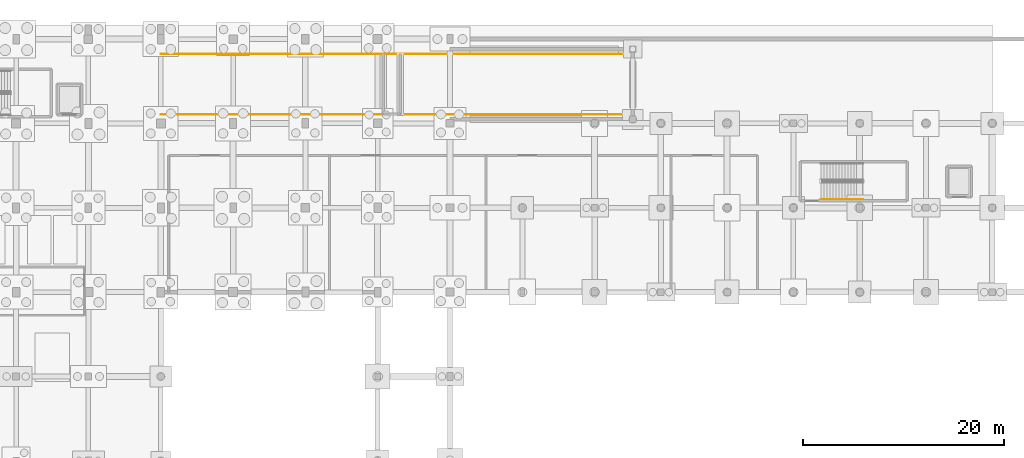
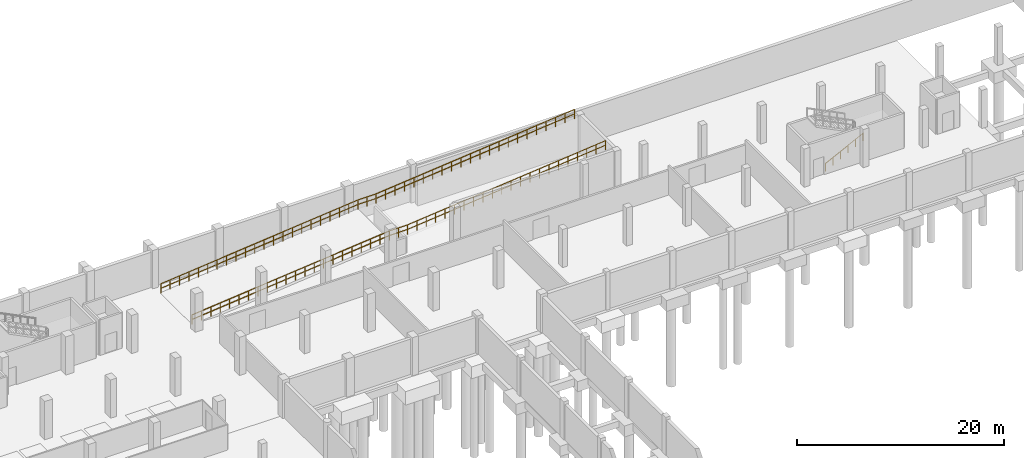
# One storey, part 33 of 35: 3 railings.
"""IFC4 building model written with IfcOpenShell, lengths in metres."""

from ifc_helpers import new_model, si_unit, direction, frame, origin, origin_2d, place, context, subcontext, project, spatial, circle, extrude, material, type_object, element, save


model = new_model("IFC4")

# Units and contexts
model_context = context("Model", 3, precision=1e-05, world=origin(), true_north=direction((0.0, 1.0)))
body_context = subcontext(model_context, "Body", "Model", "MODEL_VIEW")
ifc_project = project(units=[si_unit("LENGTHUNIT", "METRE"), si_unit("AREAUNIT", "SQUARE_METRE"), si_unit("VOLUMEUNIT", "CUBIC_METRE"), si_unit("PLANEANGLEUNIT", "RADIAN"), si_unit("MASSUNIT", "GRAM", prefix="KILO")], contexts=[model_context])

# Site, building, storey
site_placement = place(None, origin())
site = spatial("IfcSite", under=ifc_project, at=site_placement, CompositionType="ELEMENT")
building_placement = place(site_placement, origin())
building = spatial("IfcBuilding", under=site, at=building_placement, Name="Kalluvel Institute of Natural Sciences", CompositionType="ELEMENT")
storey_placement = place(building_placement, frame((0.0, 0.0, -4.5)))
storey = spatial("IfcBuildingStorey", under=building, at=storey_placement, Name="B1", CompositionType="ELEMENT", Elevation=-4.5)

# Railings
ifc_material = material(Name="Galvanized Fire-Rated Steel", Category="steel")
railing_type_1 = type_object("IfcRailingType", Name="RL-GD-ATRIUM", PredefinedType="BALUSTRADE", material=ifc_material)
railing_1_placement = place(storey_placement, frame((86.0, 120.47998046875, 0.0)))
element("IfcRailing", 1, at=railing_1_placement, inside=storey, type_object=railing_type_1, Name="B1 vehicle ramp R1 S sloped safety balustrade", PredefinedType="BALUSTRADE", context=body_context, shape_type="SweptSolid", body=[
    extrude(circle(Radius=0.02392578125, at=origin_2d()), frame((0.0, 0.0, 1.09619140625), z_axis=(0.995037408866, 0.0, 0.099501532441), x_axis=(0.0, 1.0, 0.0)), (0.0, 0.0, 1.0), 22.109619140625),
    extrude(circle(Radius=0.02392578125, at=origin_2d()), frame((0.0, 0.0, 0.56005859375), z_axis=(0.995037408866, 0.0, 0.099501532441), x_axis=(0.0, 1.0, 0.0)), (0.0, 0.0, 1.0), 22.109619140625),
    extrude(circle(Radius=0.02392578125, at=origin_2d()), frame((22.0, 0.0, 3.2958984375), z_axis=(1.0, 0.0, 0.0), x_axis=(0.0, 1.0, 0.0)), (0.0, 0.0, 1.0), 2.0),
    extrude(circle(Radius=0.02392578125, at=origin_2d()), frame((22.0, 0.0, 2.760009765625), z_axis=(1.0, 0.0, 0.0), x_axis=(0.0, 1.0, 0.0)), (0.0, 0.0, 1.0), 2.0),
    extrude(circle(Radius=0.02392578125, at=origin_2d()), frame((24.0, 0.0, 3.2958984375), z_axis=(0.995037407875, 0.0, 0.099501542344), x_axis=(0.0, 1.0, 0.0)), (0.0, 0.0, 1.0), 22.210205078125),
    extrude(circle(Radius=0.02392578125, at=origin_2d()), frame((24.0, 0.0, 2.760009765625), z_axis=(0.995037407875, 0.0, 0.099501542344), x_axis=(0.0, 1.0, 0.0)), (0.0, 0.0, 1.0), 22.210205078125),
    extrude(circle(Radius=0.02099609375, at=origin_2d()), origin(), (0.0, 0.0, 1.0), 1.072021484375),
    extrude(circle(Radius=0.02099609375, at=origin_2d()), frame((1.047607421875, 0.0, 0.104736328125)), (0.0, 0.0, 1.0), 1.072021484375),
    extrude(circle(Radius=0.02099609375, at=origin_2d()), frame((2.09521484375, 0.0, 0.20947265625)), (0.0, 0.0, 1.0), 1.072021484375),
    extrude(circle(Radius=0.02099609375, at=origin_2d()), frame((3.142822265625, 0.0, 0.314208984375)), (0.0, 0.0, 1.0), 1.072021484375),
    extrude(circle(Radius=0.02099609375, at=origin_2d()), frame((4.1904296875, 0.0, 0.4189453125)), (0.0, 0.0, 1.0), 1.072021484375),
    extrude(circle(Radius=0.02099609375, at=origin_2d()), frame((5.238037109375, 0.0, 0.523681640625)), (0.0, 0.0, 1.0), 1.072021484375),
    extrude(circle(Radius=0.02099609375, at=origin_2d()), frame((6.28564453125, 0.0, 0.628662109375)), (0.0, 0.0, 1.0), 1.072021484375),
    extrude(circle(Radius=0.02099609375, at=origin_2d()), frame((7.333251953125, 0.0, 0.7333984375)), (0.0, 0.0, 1.0), 1.072021484375),
    extrude(circle(Radius=0.02099609375, at=origin_2d()), frame((8.380859375, 0.0, 0.838134765625)), (0.0, 0.0, 1.0), 1.072021484375),
    extrude(circle(Radius=0.02099609375, at=origin_2d()), frame((9.428466796875, 0.0, 0.94287109375)), (0.0, 0.0, 1.0), 1.072021484375),
    extrude(circle(Radius=0.02099609375, at=origin_2d()), frame((10.47607421875, 0.0, 1.047607421875)), (0.0, 0.0, 1.0), 1.072021484375),
    extrude(circle(Radius=0.02099609375, at=origin_2d()), frame((11.52392578125, 0.0, 1.15234375)), (0.0, 0.0, 1.0), 1.072021484375),
    extrude(circle(Radius=0.02099609375, at=origin_2d()), frame((12.571533203125, 0.0, 1.257080078125)), (0.0, 0.0, 1.0), 1.072021484375),
    extrude(circle(Radius=0.02099609375, at=origin_2d()), frame((13.619140625, 0.0, 1.36181640625)), (0.0, 0.0, 1.0), 1.072021484375),
    extrude(circle(Radius=0.02099609375, at=origin_2d()), frame((14.666748046875, 0.0, 1.466552734375)), (0.0, 0.0, 1.0), 1.072021484375),
    extrude(circle(Radius=0.02099609375, at=origin_2d()), frame((15.71435546875, 0.0, 1.5712890625)), (0.0, 0.0, 1.0), 1.072021484375),
    extrude(circle(Radius=0.02099609375, at=origin_2d()), frame((16.761962890625, 0.0, 1.67626953125)), (0.0, 0.0, 1.0), 1.072021484375),
    extrude(circle(Radius=0.02099609375, at=origin_2d()), frame((17.8095703125, 0.0, 1.781005859375)), (0.0, 0.0, 1.0), 1.072021484375),
    extrude(circle(Radius=0.02099609375, at=origin_2d()), frame((18.857177734375, 0.0, 1.8857421875)), (0.0, 0.0, 1.0), 1.072021484375),
    extrude(circle(Radius=0.02099609375, at=origin_2d()), frame((19.90478515625, 0.0, 1.990478515625)), (0.0, 0.0, 1.0), 1.072021484375),
    extrude(circle(Radius=0.02099609375, at=origin_2d()), frame((20.952392578125, 0.0, 2.09521484375)), (0.0, 0.0, 1.0), 1.072021484375),
    extrude(circle(Radius=0.02099609375, at=origin_2d()), frame((22.0, 0.0, 2.199951171875)), (0.0, 0.0, 1.0), 1.072021484375),
    extrude(circle(Radius=0.02099609375, at=origin_2d()), frame((23.0, 0.0, 2.199951171875)), (0.0, 0.0, 1.0), 1.072021484375),
    extrude(circle(Radius=0.02099609375, at=origin_2d()), frame((24.0, 0.0, 2.199951171875)), (0.0, 0.0, 1.0), 1.072021484375),
    extrude(circle(Radius=0.02099609375, at=origin_2d()), frame((25.052490234375, 0.0, 2.30517578125)), (0.0, 0.0, 1.0), 1.072021484375),
    extrude(circle(Radius=0.02099609375, at=origin_2d()), frame((26.104736328125, 0.0, 2.410400390625)), (0.0, 0.0, 1.0), 1.072021484375),
    extrude(circle(Radius=0.02099609375, at=origin_2d()), frame((27.1572265625, 0.0, 2.515625)), (0.0, 0.0, 1.0), 1.072021484375),
    extrude(circle(Radius=0.02099609375, at=origin_2d()), frame((28.20947265625, 0.0, 2.620849609375)), (0.0, 0.0, 1.0), 1.072021484375),
    extrude(circle(Radius=0.02099609375, at=origin_2d()), frame((29.261962890625, 0.0, 2.72607421875)), (0.0, 0.0, 1.0), 1.072021484375),
    extrude(circle(Radius=0.02099609375, at=origin_2d()), frame((30.314208984375, 0.0, 2.831298828125)), (0.0, 0.0, 1.0), 1.072021484375),
    extrude(circle(Radius=0.02099609375, at=origin_2d()), frame((31.36669921875, 0.0, 2.9365234375)), (0.0, 0.0, 1.0), 1.072021484375),
    extrude(circle(Radius=0.02099609375, at=origin_2d()), frame((32.419189453125, 0.0, 3.041748046875)), (0.0, 0.0, 1.0), 1.072021484375),
    extrude(circle(Radius=0.02099609375, at=origin_2d()), frame((33.471435546875, 0.0, 3.14697265625)), (0.0, 0.0, 1.0), 1.072021484375),
    extrude(circle(Radius=0.02099609375, at=origin_2d()), frame((34.52392578125, 0.0, 3.252197265625)), (0.0, 0.0, 1.0), 1.072021484375),
    extrude(circle(Radius=0.02099609375, at=origin_2d()), frame((35.576171875, 0.0, 3.357666015625)), (0.0, 0.0, 1.0), 1.072021484375),
    extrude(circle(Radius=0.02099609375, at=origin_2d()), frame((36.628662109375, 0.0, 3.462890625)), (0.0, 0.0, 1.0), 1.072021484375),
    extrude(circle(Radius=0.02099609375, at=origin_2d()), frame((37.680908203125, 0.0, 3.568115234375)), (0.0, 0.0, 1.0), 1.072021484375),
    extrude(circle(Radius=0.02099609375, at=origin_2d()), frame((38.7333984375, 0.0, 3.67333984375)), (0.0, 0.0, 1.0), 1.072021484375),
    extrude(circle(Radius=0.02099609375, at=origin_2d()), frame((39.785888671875, 0.0, 3.778564453125)), (0.0, 0.0, 1.0), 1.072021484375),
    extrude(circle(Radius=0.02099609375, at=origin_2d()), frame((40.838134765625, 0.0, 3.8837890625)), (0.0, 0.0, 1.0), 1.072021484375),
    extrude(circle(Radius=0.02099609375, at=origin_2d()), frame((41.890625, 0.0, 3.989013671875)), (0.0, 0.0, 1.0), 1.072021484375),
    extrude(circle(Radius=0.02099609375, at=origin_2d()), frame((42.94287109375, 0.0, 4.09423828125)), (0.0, 0.0, 1.0), 1.072021484375),
    extrude(circle(Radius=0.02099609375, at=origin_2d()), frame((43.995361328125, 0.0, 4.199462890625)), (0.0, 0.0, 1.0), 1.072021484375),
    extrude(circle(Radius=0.02099609375, at=origin_2d()), frame((45.047607421875, 0.0, 4.3046875)), (0.0, 0.0, 1.0), 1.072021484375),
    extrude(circle(Radius=0.02099609375, at=origin_2d()), frame((46.10009765625, 0.0, 4.409912109375)), (0.0, 0.0, 1.0), 1.072021484375),
])
railing_2_placement = place(storey_placement, frame((86.0, 126.52001953125, 0.0)))
element("IfcRailing", 2, at=railing_2_placement, inside=storey, type_object=railing_type_1, Name="B1 vehicle ramp R1 N sloped safety balustrade", PredefinedType="BALUSTRADE", context=body_context, shape_type="SweptSolid", body=[
    extrude(circle(Radius=0.02392578125, at=origin_2d()), frame((0.0, 0.0, 1.09619140625), z_axis=(0.995037408866, 0.0, 0.099501532441), x_axis=(0.0, 1.0, 0.0)), (0.0, 0.0, 1.0), 22.109619140625),
    extrude(circle(Radius=0.02392578125, at=origin_2d()), frame((0.0, 0.0, 0.56005859375), z_axis=(0.995037408866, 0.0, 0.099501532441), x_axis=(0.0, 1.0, 0.0)), (0.0, 0.0, 1.0), 22.109619140625),
    extrude(circle(Radius=0.02392578125, at=origin_2d()), frame((22.0, 0.0, 3.2958984375), z_axis=(1.0, 0.0, 0.0), x_axis=(0.0, 1.0, 0.0)), (0.0, 0.0, 1.0), 2.0),
    extrude(circle(Radius=0.02392578125, at=origin_2d()), frame((22.0, 0.0, 2.760009765625), z_axis=(1.0, 0.0, 0.0), x_axis=(0.0, 1.0, 0.0)), (0.0, 0.0, 1.0), 2.0),
    extrude(circle(Radius=0.02392578125, at=origin_2d()), frame((24.0, 0.0, 3.2958984375), z_axis=(0.995037407875, 0.0, 0.099501542344), x_axis=(0.0, 1.0, 0.0)), (0.0, 0.0, 1.0), 22.210205078125),
    extrude(circle(Radius=0.02392578125, at=origin_2d()), frame((24.0, 0.0, 2.760009765625), z_axis=(0.995037407875, 0.0, 0.099501542344), x_axis=(0.0, 1.0, 0.0)), (0.0, 0.0, 1.0), 22.210205078125),
    extrude(circle(Radius=0.02099609375, at=origin_2d()), origin(), (0.0, 0.0, 1.0), 1.072021484375),
    extrude(circle(Radius=0.02099609375, at=origin_2d()), frame((1.047607421875, 0.0, 0.104736328125)), (0.0, 0.0, 1.0), 1.072021484375),
    extrude(circle(Radius=0.02099609375, at=origin_2d()), frame((2.09521484375, 0.0, 0.20947265625)), (0.0, 0.0, 1.0), 1.072021484375),
    extrude(circle(Radius=0.02099609375, at=origin_2d()), frame((3.142822265625, 0.0, 0.314208984375)), (0.0, 0.0, 1.0), 1.072021484375),
    extrude(circle(Radius=0.02099609375, at=origin_2d()), frame((4.1904296875, 0.0, 0.4189453125)), (0.0, 0.0, 1.0), 1.072021484375),
    extrude(circle(Radius=0.02099609375, at=origin_2d()), frame((5.238037109375, 0.0, 0.523681640625)), (0.0, 0.0, 1.0), 1.072021484375),
    extrude(circle(Radius=0.02099609375, at=origin_2d()), frame((6.28564453125, 0.0, 0.628662109375)), (0.0, 0.0, 1.0), 1.072021484375),
    extrude(circle(Radius=0.02099609375, at=origin_2d()), frame((7.333251953125, 0.0, 0.7333984375)), (0.0, 0.0, 1.0), 1.072021484375),
    extrude(circle(Radius=0.02099609375, at=origin_2d()), frame((8.380859375, 0.0, 0.838134765625)), (0.0, 0.0, 1.0), 1.072021484375),
    extrude(circle(Radius=0.02099609375, at=origin_2d()), frame((9.428466796875, 0.0, 0.94287109375)), (0.0, 0.0, 1.0), 1.072021484375),
    extrude(circle(Radius=0.02099609375, at=origin_2d()), frame((10.47607421875, 0.0, 1.047607421875)), (0.0, 0.0, 1.0), 1.072021484375),
    extrude(circle(Radius=0.02099609375, at=origin_2d()), frame((11.52392578125, 0.0, 1.15234375)), (0.0, 0.0, 1.0), 1.072021484375),
    extrude(circle(Radius=0.02099609375, at=origin_2d()), frame((12.571533203125, 0.0, 1.257080078125)), (0.0, 0.0, 1.0), 1.072021484375),
    extrude(circle(Radius=0.02099609375, at=origin_2d()), frame((13.619140625, 0.0, 1.36181640625)), (0.0, 0.0, 1.0), 1.072021484375),
    extrude(circle(Radius=0.02099609375, at=origin_2d()), frame((14.666748046875, 0.0, 1.466552734375)), (0.0, 0.0, 1.0), 1.072021484375),
    extrude(circle(Radius=0.02099609375, at=origin_2d()), frame((15.71435546875, 0.0, 1.5712890625)), (0.0, 0.0, 1.0), 1.072021484375),
    extrude(circle(Radius=0.02099609375, at=origin_2d()), frame((16.761962890625, 0.0, 1.67626953125)), (0.0, 0.0, 1.0), 1.072021484375),
    extrude(circle(Radius=0.02099609375, at=origin_2d()), frame((17.8095703125, 0.0, 1.781005859375)), (0.0, 0.0, 1.0), 1.072021484375),
    extrude(circle(Radius=0.02099609375, at=origin_2d()), frame((18.857177734375, 0.0, 1.8857421875)), (0.0, 0.0, 1.0), 1.072021484375),
    extrude(circle(Radius=0.02099609375, at=origin_2d()), frame((19.90478515625, 0.0, 1.990478515625)), (0.0, 0.0, 1.0), 1.072021484375),
    extrude(circle(Radius=0.02099609375, at=origin_2d()), frame((20.952392578125, 0.0, 2.09521484375)), (0.0, 0.0, 1.0), 1.072021484375),
    extrude(circle(Radius=0.02099609375, at=origin_2d()), frame((22.0, 0.0, 2.199951171875)), (0.0, 0.0, 1.0), 1.072021484375),
    extrude(circle(Radius=0.02099609375, at=origin_2d()), frame((23.0, 0.0, 2.199951171875)), (0.0, 0.0, 1.0), 1.072021484375),
    extrude(circle(Radius=0.02099609375, at=origin_2d()), frame((24.0, 0.0, 2.199951171875)), (0.0, 0.0, 1.0), 1.072021484375),
    extrude(circle(Radius=0.02099609375, at=origin_2d()), frame((25.052490234375, 0.0, 2.30517578125)), (0.0, 0.0, 1.0), 1.072021484375),
    extrude(circle(Radius=0.02099609375, at=origin_2d()), frame((26.104736328125, 0.0, 2.410400390625)), (0.0, 0.0, 1.0), 1.072021484375),
    extrude(circle(Radius=0.02099609375, at=origin_2d()), frame((27.1572265625, 0.0, 2.515625)), (0.0, 0.0, 1.0), 1.072021484375),
    extrude(circle(Radius=0.02099609375, at=origin_2d()), frame((28.20947265625, 0.0, 2.620849609375)), (0.0, 0.0, 1.0), 1.072021484375),
    extrude(circle(Radius=0.02099609375, at=origin_2d()), frame((29.261962890625, 0.0, 2.72607421875)), (0.0, 0.0, 1.0), 1.072021484375),
    extrude(circle(Radius=0.02099609375, at=origin_2d()), frame((30.314208984375, 0.0, 2.831298828125)), (0.0, 0.0, 1.0), 1.072021484375),
    extrude(circle(Radius=0.02099609375, at=origin_2d()), frame((31.36669921875, 0.0, 2.9365234375)), (0.0, 0.0, 1.0), 1.072021484375),
    extrude(circle(Radius=0.02099609375, at=origin_2d()), frame((32.419189453125, 0.0, 3.041748046875)), (0.0, 0.0, 1.0), 1.072021484375),
    extrude(circle(Radius=0.02099609375, at=origin_2d()), frame((33.471435546875, 0.0, 3.14697265625)), (0.0, 0.0, 1.0), 1.072021484375),
    extrude(circle(Radius=0.02099609375, at=origin_2d()), frame((34.52392578125, 0.0, 3.252197265625)), (0.0, 0.0, 1.0), 1.072021484375),
    extrude(circle(Radius=0.02099609375, at=origin_2d()), frame((35.576171875, 0.0, 3.357666015625)), (0.0, 0.0, 1.0), 1.072021484375),
    extrude(circle(Radius=0.02099609375, at=origin_2d()), frame((36.628662109375, 0.0, 3.462890625)), (0.0, 0.0, 1.0), 1.072021484375),
    extrude(circle(Radius=0.02099609375, at=origin_2d()), frame((37.680908203125, 0.0, 3.568115234375)), (0.0, 0.0, 1.0), 1.072021484375),
    extrude(circle(Radius=0.02099609375, at=origin_2d()), frame((38.7333984375, 0.0, 3.67333984375)), (0.0, 0.0, 1.0), 1.072021484375),
    extrude(circle(Radius=0.02099609375, at=origin_2d()), frame((39.785888671875, 0.0, 3.778564453125)), (0.0, 0.0, 1.0), 1.072021484375),
    extrude(circle(Radius=0.02099609375, at=origin_2d()), frame((40.838134765625, 0.0, 3.8837890625)), (0.0, 0.0, 1.0), 1.072021484375),
    extrude(circle(Radius=0.02099609375, at=origin_2d()), frame((41.890625, 0.0, 3.989013671875)), (0.0, 0.0, 1.0), 1.072021484375),
    extrude(circle(Radius=0.02099609375, at=origin_2d()), frame((42.94287109375, 0.0, 4.09423828125)), (0.0, 0.0, 1.0), 1.072021484375),
    extrude(circle(Radius=0.02099609375, at=origin_2d()), frame((43.995361328125, 0.0, 4.199462890625)), (0.0, 0.0, 1.0), 1.072021484375),
    extrude(circle(Radius=0.02099609375, at=origin_2d()), frame((45.047607421875, 0.0, 4.3046875)), (0.0, 0.0, 1.0), 1.072021484375),
    extrude(circle(Radius=0.02099609375, at=origin_2d()), frame((46.10009765625, 0.0, 4.409912109375)), (0.0, 0.0, 1.0), 1.072021484375),
])
railing_type_2 = type_object("IfcRailingType", Name="RL-HR-STAIR", PredefinedType="HANDRAIL", material=ifc_material)
railing_3_placement = place(storey_placement, frame((151.75, 112.050048828125, 0.14990234375)))
element("IfcRailing", 3, at=railing_3_placement, inside=storey, type_object=railing_type_2, Name="B1 ST5 stair handrail 1", PredefinedType="HANDRAIL", context=body_context, shape_type="SweptSolid", body=[
    extrude(circle(Radius=0.02392578125, at=origin_2d()), frame((0.0, 0.0, 0.89599609375), z_axis=(0.894416792377, 0.0, 0.447234392142), x_axis=(0.0, 1.0, 0.0)), (0.0, 0.0, 1.0), 4.69580078125),
    extrude(circle(Radius=0.02099609375, at=origin_2d()), origin(), (0.0, 0.0, 1.0), 0.871826171875),
    extrude(circle(Radius=0.02099609375, at=origin_2d()), frame((0.840087890625, 0.0, 0.419921875)), (0.0, 0.0, 1.0), 0.871826171875),
    extrude(circle(Radius=0.02099609375, at=origin_2d()), frame((1.679931640625, 0.0, 0.840087890625)), (0.0, 0.0, 1.0), 0.871826171875),
    extrude(circle(Radius=0.02099609375, at=origin_2d()), frame((2.52001953125, 0.0, 1.260009765625)), (0.0, 0.0, 1.0), 0.871826171875),
    extrude(circle(Radius=0.02099609375, at=origin_2d()), frame((3.35986328125, 0.0, 1.68017578125)), (0.0, 0.0, 1.0), 0.871826171875),
    extrude(circle(Radius=0.02099609375, at=origin_2d()), frame((4.199951171875, 0.0, 2.10009765625)), (0.0, 0.0, 1.0), 0.871826171875),
])

save(model, "model.ifc")
